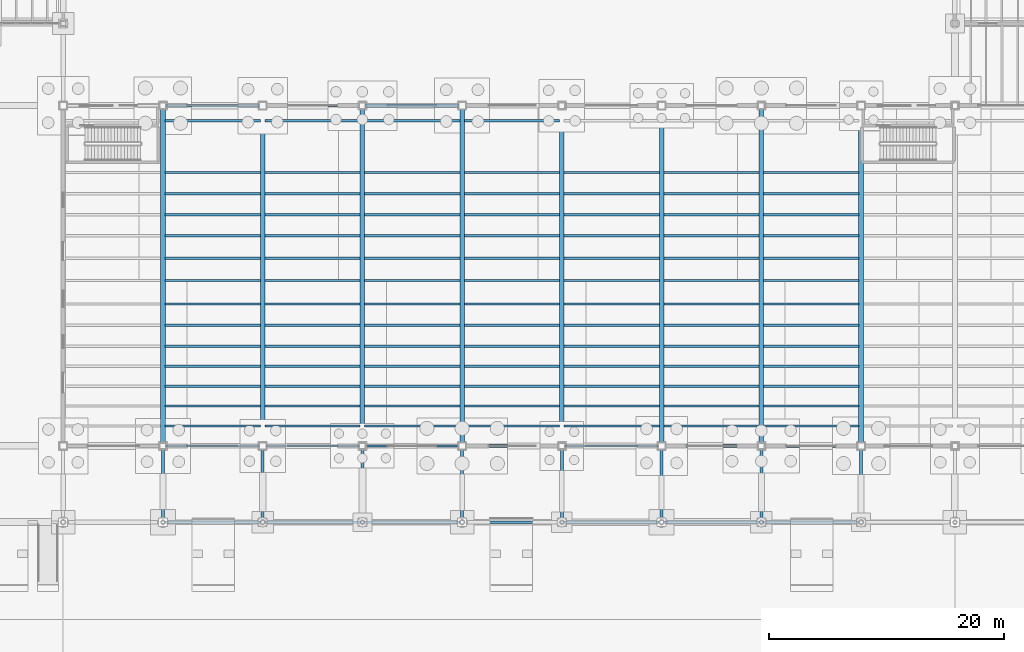
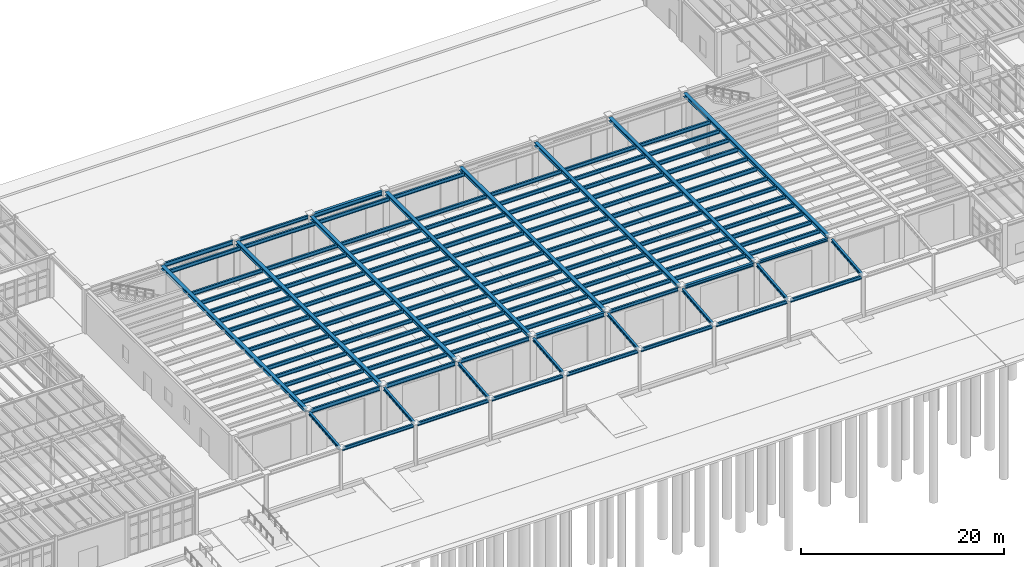
# One storey, part 31 of 86: 128 beams.
"""IFC4 building model written with IfcOpenShell, lengths in metres."""

from ifc_helpers import new_model, si_unit, direction, frame, origin, origin_2d, place, context, subcontext, project, spatial, i_section, extrude, material, material_profile, profile_set, type_object, element, save


model = new_model("IFC4")

# Units and contexts
model_context = context("Model", 3, precision=1e-05, world=origin(), true_north=direction((0.0, 1.0)))
body_context = subcontext(model_context, "Body", "Model", "MODEL_VIEW")
ifc_project = project(units=[si_unit("LENGTHUNIT", "METRE"), si_unit("AREAUNIT", "SQUARE_METRE"), si_unit("VOLUMEUNIT", "CUBIC_METRE"), si_unit("PLANEANGLEUNIT", "RADIAN"), si_unit("MASSUNIT", "GRAM", prefix="KILO"), si_unit("THERMODYNAMICTEMPERATUREUNIT", "KELVIN"), si_unit("POWERUNIT", "WATT")], contexts=[model_context])

# Site, building, storey
site_placement = place(None, origin())
site = spatial("IfcSite", under=ifc_project, at=site_placement, CompositionType="ELEMENT")
building_placement = place(site_placement, origin())
building = spatial("IfcBuilding", under=site, at=building_placement, Name="Zhenchuan Central Fire Station", CompositionType="ELEMENT")
storey_placement = place(building_placement, frame((0.0, 0.0, 0.449951171875)))
storey = spatial("IfcBuildingStorey", under=building, at=storey_placement, Name="L01", CompositionType="ELEMENT", Elevation=0.449951171875)

# Beams
ifc_material = material(Name="Steel Q355B", Category="steel")
ifc_material_profile_1 = material_profile(ifc_material, i_section(OverallWidth=0.25, OverallDepth=0.340087890625, WebThickness=0.009033203125, FlangeThickness=0.013916015625, FilletRadius=0.01806640625, at=origin_2d()), Name="HM 340x250")
ifc_profile_set_1 = profile_set([ifc_material_profile_1], Name="Steel Q355B")
beam_type_1 = type_object("IfcBeamType", Name="BM-HM340", PredefinedType="BEAM", material=ifc_profile_set_1)
beam_1_placement = place(storey_placement, frame((115.77490234375, 6.5, 5.030029296875), z_axis=(1.0, 0.0, 0.0), x_axis=(0.0, 1.0, 0.0)))
element("IfcBeam", 1, at=beam_1_placement, inside=storey, type_object=beam_type_1, Name="L02 Girder EW 0023", PredefinedType="BEAM", context=body_context, shape_type="SweptSolid", body=[
    extrude(i_section(OverallWidth=0.25, OverallDepth=0.340087890625, WebThickness=0.009033203125, FlangeThickness=0.013916015625, FilletRadius=0.01806640625, at=origin_2d()), origin(), (0.0, 0.0, 1.0), 7.900146484375),
])
ifc_material_profile_2 = material_profile(ifc_material, i_section(OverallWidth=0.25, OverallDepth=0.340087890625, WebThickness=0.009033203125, FlangeThickness=0.013916015625, FilletRadius=0.01806640625, at=origin_2d()), Name="HM 340x250")
ifc_profile_set_2 = profile_set([ifc_material_profile_2], Name="Steel Q355B")
beam_type_2 = type_object("IfcBeamType", Name="BM-HM340-EXT", PredefinedType="BEAM", material=ifc_profile_set_2)
beam_2_placement = place(storey_placement, frame((64.5, 0.161865234375, 4.41015625), z_axis=(0.0, 0.995301423854, 0.096824974433), x_axis=(-1.0, 0.0, 0.0)))
element("IfcBeam", 2, at=beam_2_placement, inside=storey, type_object=beam_type_2, Name="Canopy Sloped Rafter 0531", PredefinedType="BEAM", context=body_context, shape_type="SweptSolid", body=[
    extrude(i_section(OverallWidth=0.25, OverallDepth=0.340087890625, WebThickness=0.009033203125, FlangeThickness=0.013916015625, FilletRadius=0.01806640625, at=origin_2d()), origin(), (0.0, 0.0, 1.0), 6.091796875),
])
beam_3_placement = place(storey_placement, frame((73.0, 0.203125, 4.41015625), z_axis=(0.0, 0.995157696246, 0.098291197994), x_axis=(-1.0, 0.0, 0.0)))
element("IfcBeam", 3, at=beam_3_placement, inside=storey, type_object=beam_type_2, Name="Canopy Sloped Rafter 0532", PredefinedType="BEAM", context=body_context, shape_type="SweptSolid", body=[
    extrude(i_section(OverallWidth=0.25, OverallDepth=0.340087890625, WebThickness=0.009033203125, FlangeThickness=0.013916015625, FilletRadius=0.01806640625, at=origin_2d()), origin(), (0.0, 0.0, 1.0), 6.0009765625),
])
beam_4_placement = place(storey_placement, frame((81.5, 0.161865234375, 4.41015625), z_axis=(0.0, 0.995301423854, 0.096824974433), x_axis=(-1.0, 0.0, 0.0)))
element("IfcBeam", 4, at=beam_4_placement, inside=storey, type_object=beam_type_2, Name="Canopy Sloped Rafter 0533", PredefinedType="BEAM", context=body_context, shape_type="SweptSolid", body=[
    extrude(i_section(OverallWidth=0.25, OverallDepth=0.340087890625, WebThickness=0.009033203125, FlangeThickness=0.013916015625, FilletRadius=0.01806640625, at=origin_2d()), origin(), (0.0, 0.0, 1.0), 6.091796875),
])
beam_5_placement = place(storey_placement, frame((90.0, 0.203125, 4.41015625), z_axis=(0.0, 0.995157696246, 0.098291197994), x_axis=(-1.0, 0.0, 0.0)))
element("IfcBeam", 5, at=beam_5_placement, inside=storey, type_object=beam_type_2, Name="Canopy Sloped Rafter 0534", PredefinedType="BEAM", context=body_context, shape_type="SweptSolid", body=[
    extrude(i_section(OverallWidth=0.25, OverallDepth=0.340087890625, WebThickness=0.009033203125, FlangeThickness=0.013916015625, FilletRadius=0.01806640625, at=origin_2d()), origin(), (0.0, 0.0, 1.0), 6.0009765625),
])
beam_6_placement = place(storey_placement, frame((98.5, 0.161865234375, 4.41015625), z_axis=(0.0, 0.995301423854, 0.096824974433), x_axis=(-1.0, 0.0, 0.0)))
element("IfcBeam", 6, at=beam_6_placement, inside=storey, type_object=beam_type_2, Name="Canopy Sloped Rafter 0535", PredefinedType="BEAM", context=body_context, shape_type="SweptSolid", body=[
    extrude(i_section(OverallWidth=0.25, OverallDepth=0.340087890625, WebThickness=0.009033203125, FlangeThickness=0.013916015625, FilletRadius=0.01806640625, at=origin_2d()), origin(), (0.0, 0.0, 1.0), 6.091796875),
])
beam_7_placement = place(storey_placement, frame((107.0, 0.203125, 4.41015625), z_axis=(0.0, 0.995157696246, 0.098291197994), x_axis=(-1.0, 0.0, 0.0)))
element("IfcBeam", 7, at=beam_7_placement, inside=storey, type_object=beam_type_2, Name="Canopy Sloped Rafter 0536", PredefinedType="BEAM", context=body_context, shape_type="SweptSolid", body=[
    extrude(i_section(OverallWidth=0.25, OverallDepth=0.340087890625, WebThickness=0.009033203125, FlangeThickness=0.013916015625, FilletRadius=0.01806640625, at=origin_2d()), origin(), (0.0, 0.0, 1.0), 6.0009765625),
])
beam_8_placement = place(storey_placement, frame((115.5, 0.161865234375, 4.41015625), z_axis=(0.0, 0.995301423854, 0.096824974433), x_axis=(-1.0, 0.0, 0.0)))
element("IfcBeam", 8, at=beam_8_placement, inside=storey, type_object=beam_type_2, Name="Canopy Sloped Rafter 0537", PredefinedType="BEAM", context=body_context, shape_type="SweptSolid", body=[
    extrude(i_section(OverallWidth=0.25, OverallDepth=0.340087890625, WebThickness=0.009033203125, FlangeThickness=0.013916015625, FilletRadius=0.01806640625, at=origin_2d()), origin(), (0.0, 0.0, 1.0), 6.091796875),
])
beam_9_placement = place(storey_placement, frame((124.0, 0.203125, 4.41015625), z_axis=(0.0, 0.995157696246, 0.098291197994), x_axis=(-1.0, 0.0, 0.0)))
element("IfcBeam", 9, at=beam_9_placement, inside=storey, type_object=beam_type_2, Name="Canopy Sloped Rafter 0538", PredefinedType="BEAM", context=body_context, shape_type="SweptSolid", body=[
    extrude(i_section(OverallWidth=0.25, OverallDepth=0.340087890625, WebThickness=0.009033203125, FlangeThickness=0.013916015625, FilletRadius=0.01806640625, at=origin_2d()), origin(), (0.0, 0.0, 1.0), 6.0009765625),
])
ifc_material_profile_3 = material_profile(ifc_material, i_section(OverallWidth=0.300048828125, OverallDepth=0.389892578125, WebThickness=0.010009765625, FlangeThickness=0.01611328125, FilletRadius=0.02001953125, at=origin_2d()), Name="HM 390x300")
ifc_profile_set_3 = profile_set([ifc_material_profile_3], Name="Steel Q355B")
beam_type_3 = type_object("IfcBeamType", Name="BM-HM390-INT", PredefinedType="BEAM", material=ifc_profile_set_3)
beam_10_placement = place(storey_placement, frame((107.324951171875, 6.5, 5.005126953125), z_axis=(1.0, 0.0, 0.0), x_axis=(0.0, 1.0, 0.0)))
element("IfcBeam", 10, at=beam_10_placement, inside=storey, type_object=beam_type_3, Name="L02 Girder EW 0022", PredefinedType="BEAM", context=body_context, shape_type="SweptSolid", body=[
    extrude(i_section(OverallWidth=0.300048828125, OverallDepth=0.389892578125, WebThickness=0.010009765625, FlangeThickness=0.01611328125, FilletRadius=0.02001953125, at=origin_2d()), origin(), (0.0, 0.0, 1.0), 7.900146484375),
])
ifc_material_profile_4 = material_profile(ifc_material, i_section(OverallWidth=0.300048828125, OverallDepth=0.5, WebThickness=0.010986328125, FlangeThickness=0.01806640625, FilletRadius=0.02197265625, at=origin_2d()), Name="HM 500x300")
ifc_profile_set_4 = profile_set([ifc_material_profile_4], Name="Steel Q355B")
beam_type_4 = type_object("IfcBeamType", Name="BM-HM500-INT", PredefinedType="BEAM", material=ifc_profile_set_4)
for number, where, z_axis, x_axis, name in (
    (11, (90.324951171875, 6.5, 4.949951171875), (1.0, 0.0, 0.0), (0.0, 1.0, 0.0), "L02 Girder EW 0020"),
    (12, (81.77490234375, 35.5, 4.949951171875), (1.0, 0.0, 0.0), (0.0, 1.0, 0.0), "L02 Girder EW 0062"),
):
    element("IfcBeam", number, at=place(storey_placement, frame(where, z_axis=z_axis, x_axis=x_axis)), inside=storey, type_object=beam_type_4, Name=name, PredefinedType="BEAM", context=body_context, shape_type="SweptSolid", body=[
        extrude(i_section(OverallWidth=0.300048828125, OverallDepth=0.5, WebThickness=0.010986328125, FlangeThickness=0.01806640625, FilletRadius=0.02197265625, at=origin_2d()), origin(), (0.0, 0.0, 1.0), 7.900146484375),
    ])
ifc_material_profile_5 = material_profile(ifc_material, i_section(OverallWidth=0.199951171875, OverallDepth=0.449951171875, WebThickness=0.009033203125, FlangeThickness=0.013916015625, FilletRadius=0.01806640625, at=origin_2d()), Name="HN 450x200")
ifc_profile_set_5 = profile_set([ifc_material_profile_5], Name="Steel Q355B")
beam_type_5 = type_object("IfcBeamType", Name="BM-HN450", PredefinedType="BEAM", material=ifc_profile_set_5)
beam_11_placement = place(storey_placement, frame((81.77490234375, 6.5, 4.97509765625), z_axis=(1.0, 0.0, 0.0), x_axis=(0.0, 1.0, 0.0)))
element("IfcBeam", 13, at=beam_11_placement, inside=storey, type_object=beam_type_5, Name="L02 Girder EW 0019", PredefinedType="BEAM", context=body_context, shape_type="SweptSolid", body=[
    extrude(i_section(OverallWidth=0.199951171875, OverallDepth=0.449951171875, WebThickness=0.009033203125, FlangeThickness=0.013916015625, FilletRadius=0.01806640625, at=origin_2d()), origin(), (0.0, 0.0, 1.0), 7.900146484375),
])
for number, where, z_axis, x_axis, name in (
    (14, (64.697021484375, 8.199951171875, 4.97509765625), (1.0, 0.0, 0.0), (0.0, 1.0, 0.0), "Appliance Hall Secondary Floor Joist 0845"),
    (15, (64.697021484375, 9.89990234375, 4.97509765625), (1.0, 0.0, 0.0), (0.0, 1.0, 0.0), "Appliance Hall Secondary Floor Joist 0846"),
    (16, (64.697021484375, 11.60009765625, 4.97509765625), (1.0, 0.0, 0.0), (0.0, 1.0, 0.0), "Appliance Hall Secondary Floor Joist 0847"),
    (17, (64.697021484375, 13.300048828125, 4.97509765625), (1.0, 0.0, 0.0), (0.0, 1.0, 0.0), "Appliance Hall Secondary Floor Joist 0848"),
    (18, (64.697021484375, 15.0, 4.97509765625), (1.0, 0.0, 0.0), (0.0, 1.0, 0.0), "Appliance Hall Secondary Floor Joist 0849"),
    (19, (64.697021484375, 16.800048828125, 4.97509765625), (1.0, 0.0, 0.0), (0.0, 1.0, 0.0), "Appliance Hall Secondary Floor Joist 0850"),
    (20, (64.697021484375, 18.60009765625, 4.97509765625), (1.0, 0.0, 0.0), (0.0, 1.0, 0.0), "Appliance Hall Secondary Floor Joist 0851"),
    (21, (64.697021484375, 22.5, 4.97509765625), (1.0, 0.0, 0.0), (0.0, 1.0, 0.0), "Appliance Hall Secondary Floor Joist 0853"),
    (22, (64.697021484375, 26.199951171875, 4.97509765625), (1.0, 0.0, 0.0), (0.0, 1.0, 0.0), "Appliance Hall Secondary Floor Joist 0855"),
    (23, (64.697021484375, 28.0, 4.97509765625), (1.0, 0.0, 0.0), (0.0, 1.0, 0.0), "Appliance Hall Secondary Floor Joist 0856"),
    (24, (64.697021484375, 29.800048828125, 4.97509765625), (1.0, 0.0, 0.0), (0.0, 1.0, 0.0), "Appliance Hall Secondary Floor Joist 0857"),
    (25, (64.697021484375, 34.199951171875, 4.97509765625), (1.0, 0.0, 0.0), (0.0, 1.0, 0.0), "Appliance Hall Secondary Floor Joist 0858"),
    (26, (73.197021484375, 8.199951171875, 4.97509765625), (1.0, 0.0, 0.0), (0.0, 1.0, 0.0), "Appliance Hall Secondary Floor Joist 0859"),
    (27, (73.197021484375, 9.89990234375, 4.97509765625), (1.0, 0.0, 0.0), (0.0, 1.0, 0.0), "Appliance Hall Secondary Floor Joist 0860"),
    (28, (73.197021484375, 11.60009765625, 4.97509765625), (1.0, 0.0, 0.0), (0.0, 1.0, 0.0), "Appliance Hall Secondary Floor Joist 0861"),
    (29, (73.197021484375, 13.300048828125, 4.97509765625), (1.0, 0.0, 0.0), (0.0, 1.0, 0.0), "Appliance Hall Secondary Floor Joist 0862"),
    (30, (73.197021484375, 15.0, 4.97509765625), (1.0, 0.0, 0.0), (0.0, 1.0, 0.0), "Appliance Hall Secondary Floor Joist 0863"),
    (31, (73.197021484375, 16.800048828125, 4.97509765625), (1.0, 0.0, 0.0), (0.0, 1.0, 0.0), "Appliance Hall Secondary Floor Joist 0864"),
    (32, (73.197021484375, 18.60009765625, 4.97509765625), (1.0, 0.0, 0.0), (0.0, 1.0, 0.0), "Appliance Hall Secondary Floor Joist 0865"),
    (33, (73.197021484375, 22.5, 4.97509765625), (1.0, 0.0, 0.0), (0.0, 1.0, 0.0), "Appliance Hall Secondary Floor Joist 0867"),
    (34, (73.197021484375, 26.199951171875, 4.97509765625), (1.0, 0.0, 0.0), (0.0, 1.0, 0.0), "Appliance Hall Secondary Floor Joist 0869"),
    (35, (73.197021484375, 28.0, 4.97509765625), (1.0, 0.0, 0.0), (0.0, 1.0, 0.0), "Appliance Hall Secondary Floor Joist 0870"),
    (36, (73.197021484375, 29.800048828125, 4.97509765625), (1.0, 0.0, 0.0), (0.0, 1.0, 0.0), "Appliance Hall Secondary Floor Joist 0871"),
    (37, (73.197021484375, 34.199951171875, 4.97509765625), (1.0, 0.0, 0.0), (0.0, 1.0, 0.0), "Appliance Hall Secondary Floor Joist 0872"),
    (38, (81.697021484375, 8.199951171875, 4.97509765625), (1.0, 0.0, 0.0), (0.0, 1.0, 0.0), "Appliance Hall Secondary Floor Joist 0873"),
    (39, (81.697021484375, 9.89990234375, 4.97509765625), (1.0, 0.0, 0.0), (0.0, 1.0, 0.0), "Appliance Hall Secondary Floor Joist 0874"),
    (40, (81.697021484375, 11.60009765625, 4.97509765625), (1.0, 0.0, 0.0), (0.0, 1.0, 0.0), "Appliance Hall Secondary Floor Joist 0875"),
    (41, (81.697021484375, 13.300048828125, 4.97509765625), (1.0, 0.0, 0.0), (0.0, 1.0, 0.0), "Appliance Hall Secondary Floor Joist 0876"),
    (42, (81.697021484375, 15.0, 4.97509765625), (1.0, 0.0, 0.0), (0.0, 1.0, 0.0), "Appliance Hall Secondary Floor Joist 0877"),
    (43, (81.697021484375, 16.800048828125, 4.97509765625), (1.0, 0.0, 0.0), (0.0, 1.0, 0.0), "Appliance Hall Secondary Floor Joist 0878"),
    (44, (81.697021484375, 18.60009765625, 4.97509765625), (1.0, 0.0, 0.0), (0.0, 1.0, 0.0), "Appliance Hall Secondary Floor Joist 0879"),
    (45, (81.697021484375, 22.5, 4.97509765625), (1.0, 0.0, 0.0), (0.0, 1.0, 0.0), "Appliance Hall Secondary Floor Joist 0881"),
    (46, (81.697021484375, 26.199951171875, 4.97509765625), (1.0, 0.0, 0.0), (0.0, 1.0, 0.0), "Appliance Hall Secondary Floor Joist 0883"),
    (47, (81.697021484375, 28.0, 4.97509765625), (1.0, 0.0, 0.0), (0.0, 1.0, 0.0), "Appliance Hall Secondary Floor Joist 0884"),
    (48, (81.697021484375, 29.800048828125, 4.97509765625), (1.0, 0.0, 0.0), (0.0, 1.0, 0.0), "Appliance Hall Secondary Floor Joist 0885"),
    (49, (81.697021484375, 34.199951171875, 4.97509765625), (1.0, 0.0, 0.0), (0.0, 1.0, 0.0), "Appliance Hall Secondary Floor Joist 0886"),
    (50, (90.197021484375, 8.199951171875, 4.97509765625), (1.0, 0.0, 0.0), (0.0, 1.0, 0.0), "Appliance Hall Secondary Floor Joist 0887"),
    (51, (90.197021484375, 9.89990234375, 4.97509765625), (1.0, 0.0, 0.0), (0.0, 1.0, 0.0), "Appliance Hall Secondary Floor Joist 0888"),
    (52, (90.197021484375, 11.60009765625, 4.97509765625), (1.0, 0.0, 0.0), (0.0, 1.0, 0.0), "Appliance Hall Secondary Floor Joist 0889"),
    (53, (90.197021484375, 13.300048828125, 4.97509765625), (1.0, 0.0, 0.0), (0.0, 1.0, 0.0), "Appliance Hall Secondary Floor Joist 0890"),
    (54, (90.197021484375, 15.0, 4.97509765625), (1.0, 0.0, 0.0), (0.0, 1.0, 0.0), "Appliance Hall Secondary Floor Joist 0891"),
    (55, (90.197021484375, 16.800048828125, 4.97509765625), (1.0, 0.0, 0.0), (0.0, 1.0, 0.0), "Appliance Hall Secondary Floor Joist 0892"),
    (56, (90.197021484375, 18.60009765625, 4.97509765625), (1.0, 0.0, 0.0), (0.0, 1.0, 0.0), "Appliance Hall Secondary Floor Joist 0893"),
    (57, (90.197021484375, 22.5, 4.97509765625), (1.0, 0.0, 0.0), (0.0, 1.0, 0.0), "Appliance Hall Secondary Floor Joist 0895"),
    (58, (90.197021484375, 26.199951171875, 4.97509765625), (1.0, 0.0, 0.0), (0.0, 1.0, 0.0), "Appliance Hall Secondary Floor Joist 0897"),
    (59, (90.197021484375, 28.0, 4.97509765625), (1.0, 0.0, 0.0), (0.0, 1.0, 0.0), "Appliance Hall Secondary Floor Joist 0898"),
    (60, (90.197021484375, 29.800048828125, 4.97509765625), (1.0, 0.0, 0.0), (0.0, 1.0, 0.0), "Appliance Hall Secondary Floor Joist 0899"),
    (61, (90.197021484375, 34.199951171875, 4.97509765625), (1.0, 0.0, 0.0), (0.0, 1.0, 0.0), "Appliance Hall Secondary Floor Joist 0900"),
    (62, (98.697021484375, 8.199951171875, 4.97509765625), (1.0, 0.0, 0.0), (0.0, 1.0, 0.0), "Appliance Hall Secondary Floor Joist 0901"),
    (63, (98.697021484375, 9.89990234375, 4.97509765625), (1.0, 0.0, 0.0), (0.0, 1.0, 0.0), "Appliance Hall Secondary Floor Joist 0902"),
    (64, (98.697021484375, 11.60009765625, 4.97509765625), (1.0, 0.0, 0.0), (0.0, 1.0, 0.0), "Appliance Hall Secondary Floor Joist 0903"),
    (65, (98.697021484375, 13.300048828125, 4.97509765625), (1.0, 0.0, 0.0), (0.0, 1.0, 0.0), "Appliance Hall Secondary Floor Joist 0904"),
    (66, (98.697021484375, 15.0, 4.97509765625), (1.0, 0.0, 0.0), (0.0, 1.0, 0.0), "Appliance Hall Secondary Floor Joist 0905"),
    (67, (98.697021484375, 16.800048828125, 4.97509765625), (1.0, 0.0, 0.0), (0.0, 1.0, 0.0), "Appliance Hall Secondary Floor Joist 0906"),
    (68, (98.697021484375, 18.60009765625, 4.97509765625), (1.0, 0.0, 0.0), (0.0, 1.0, 0.0), "Appliance Hall Secondary Floor Joist 0907"),
    (69, (98.697021484375, 22.5, 4.97509765625), (1.0, 0.0, 0.0), (0.0, 1.0, 0.0), "Appliance Hall Secondary Floor Joist 0909"),
    (70, (98.697021484375, 26.199951171875, 4.97509765625), (1.0, 0.0, 0.0), (0.0, 1.0, 0.0), "Appliance Hall Secondary Floor Joist 0911"),
    (71, (98.697021484375, 28.0, 4.97509765625), (1.0, 0.0, 0.0), (0.0, 1.0, 0.0), "Appliance Hall Secondary Floor Joist 0912"),
    (72, (98.697021484375, 29.800048828125, 4.97509765625), (1.0, 0.0, 0.0), (0.0, 1.0, 0.0), "Appliance Hall Secondary Floor Joist 0913"),
    (73, (107.197021484375, 8.199951171875, 4.97509765625), (1.0, 0.0, 0.0), (0.0, 1.0, 0.0), "Appliance Hall Secondary Floor Joist 0915"),
    (74, (107.197021484375, 9.89990234375, 4.97509765625), (1.0, 0.0, 0.0), (0.0, 1.0, 0.0), "Appliance Hall Secondary Floor Joist 0916"),
    (75, (107.197021484375, 11.60009765625, 4.97509765625), (1.0, 0.0, 0.0), (0.0, 1.0, 0.0), "Appliance Hall Secondary Floor Joist 0917"),
    (76, (107.197021484375, 13.300048828125, 4.97509765625), (1.0, 0.0, 0.0), (0.0, 1.0, 0.0), "Appliance Hall Secondary Floor Joist 0918"),
    (77, (107.197021484375, 15.0, 4.97509765625), (1.0, 0.0, 0.0), (0.0, 1.0, 0.0), "Appliance Hall Secondary Floor Joist 0919"),
    (78, (107.197021484375, 16.800048828125, 4.97509765625), (1.0, 0.0, 0.0), (0.0, 1.0, 0.0), "Appliance Hall Secondary Floor Joist 0920"),
    (79, (107.197021484375, 18.60009765625, 4.97509765625), (1.0, 0.0, 0.0), (0.0, 1.0, 0.0), "Appliance Hall Secondary Floor Joist 0921"),
    (80, (107.197021484375, 22.5, 4.97509765625), (1.0, 0.0, 0.0), (0.0, 1.0, 0.0), "Appliance Hall Secondary Floor Joist 0923"),
    (81, (107.197021484375, 26.199951171875, 4.97509765625), (1.0, 0.0, 0.0), (0.0, 1.0, 0.0), "Appliance Hall Secondary Floor Joist 0925"),
    (82, (107.197021484375, 28.0, 4.97509765625), (1.0, 0.0, 0.0), (0.0, 1.0, 0.0), "Appliance Hall Secondary Floor Joist 0926"),
    (83, (107.197021484375, 29.800048828125, 4.97509765625), (1.0, 0.0, 0.0), (0.0, 1.0, 0.0), "Appliance Hall Secondary Floor Joist 0927"),
    (84, (115.697021484375, 8.199951171875, 4.97509765625), (1.0, 0.0, 0.0), (0.0, 1.0, 0.0), "Appliance Hall Secondary Floor Joist 0929"),
    (85, (115.697021484375, 9.89990234375, 4.97509765625), (1.0, 0.0, 0.0), (0.0, 1.0, 0.0), "Appliance Hall Secondary Floor Joist 0930"),
    (86, (115.697021484375, 11.60009765625, 4.97509765625), (1.0, 0.0, 0.0), (0.0, 1.0, 0.0), "Appliance Hall Secondary Floor Joist 0931"),
    (87, (115.697021484375, 13.300048828125, 4.97509765625), (1.0, 0.0, 0.0), (0.0, 1.0, 0.0), "Appliance Hall Secondary Floor Joist 0932"),
    (88, (115.697021484375, 15.0, 4.97509765625), (1.0, 0.0, 0.0), (0.0, 1.0, 0.0), "Appliance Hall Secondary Floor Joist 0933"),
    (89, (115.697021484375, 16.800048828125, 4.97509765625), (1.0, 0.0, 0.0), (0.0, 1.0, 0.0), "Appliance Hall Secondary Floor Joist 0934"),
    (90, (115.697021484375, 18.60009765625, 4.97509765625), (1.0, 0.0, 0.0), (0.0, 1.0, 0.0), "Appliance Hall Secondary Floor Joist 0935"),
    (91, (115.697021484375, 22.5, 4.97509765625), (1.0, 0.0, 0.0), (0.0, 1.0, 0.0), "Appliance Hall Secondary Floor Joist 0937"),
    (92, (115.697021484375, 26.199951171875, 4.97509765625), (1.0, 0.0, 0.0), (0.0, 1.0, 0.0), "Appliance Hall Secondary Floor Joist 0939"),
    (93, (115.697021484375, 28.0, 4.97509765625), (1.0, 0.0, 0.0), (0.0, 1.0, 0.0), "Appliance Hall Secondary Floor Joist 0940"),
    (94, (115.697021484375, 29.800048828125, 4.97509765625), (1.0, 0.0, 0.0), (0.0, 1.0, 0.0), "Appliance Hall Secondary Floor Joist 0941"),
):
    element("IfcBeam", number, at=place(storey_placement, frame(where, z_axis=z_axis, x_axis=x_axis)), inside=storey, type_object=beam_type_5, Name=name, PredefinedType="BEAM", context=body_context, shape_type="SweptSolid", body=[
        extrude(i_section(OverallWidth=0.199951171875, OverallDepth=0.449951171875, WebThickness=0.009033203125, FlangeThickness=0.013916015625, FilletRadius=0.01806640625, at=origin_2d()), origin(), (0.0, 0.0, 1.0), 8.10595703125),
    ])
ifc_material_profile_6 = material_profile(ifc_material, i_section(OverallWidth=0.199951171875, OverallDepth=0.5, WebThickness=0.010009765625, FlangeThickness=0.01611328125, FilletRadius=0.02001953125, at=origin_2d()), Name="HN 500x200")
ifc_profile_set_6 = profile_set([ifc_material_profile_6], Name="Steel Q355B")
beam_type_6 = type_object("IfcBeamType", Name="BM-HN500-INT", PredefinedType="BEAM", material=ifc_profile_set_6)
for number, where, z_axis, x_axis, name in (
    (95, (73.324951171875, 6.5, 4.949951171875), (1.0, 0.0, 0.0), (0.0, 1.0, 0.0), "L02 Girder EW 0018"),
    (96, (64.77490234375, 35.5, 4.949951171875), (1.0, 0.0, 0.0), (0.0, 1.0, 0.0), "L02 Girder EW 0060"),
):
    element("IfcBeam", number, at=place(storey_placement, frame(where, z_axis=z_axis, x_axis=x_axis)), inside=storey, type_object=beam_type_6, Name=name, PredefinedType="BEAM", context=body_context, shape_type="SweptSolid", body=[
        extrude(i_section(OverallWidth=0.199951171875, OverallDepth=0.5, WebThickness=0.010009765625, FlangeThickness=0.01611328125, FilletRadius=0.02001953125, at=origin_2d()), origin(), (0.0, 0.0, 1.0), 7.900146484375),
    ])
for number, where, z_axis, x_axis, name in (
    (97, (64.697021484375, 20.60009765625, 4.949951171875), (1.0, 0.0, 0.0), (0.0, 1.0, 0.0), "Appliance Hall Secondary Floor Joist 0852"),
    (98, (64.697021484375, 24.39990234375, 4.949951171875), (1.0, 0.0, 0.0), (0.0, 1.0, 0.0), "Appliance Hall Secondary Floor Joist 0854"),
    (99, (73.197021484375, 20.60009765625, 4.949951171875), (1.0, 0.0, 0.0), (0.0, 1.0, 0.0), "Appliance Hall Secondary Floor Joist 0866"),
    (100, (73.197021484375, 24.39990234375, 4.949951171875), (1.0, 0.0, 0.0), (0.0, 1.0, 0.0), "Appliance Hall Secondary Floor Joist 0868"),
    (101, (81.697021484375, 20.60009765625, 4.949951171875), (1.0, 0.0, 0.0), (0.0, 1.0, 0.0), "Appliance Hall Secondary Floor Joist 0880"),
    (102, (81.697021484375, 24.39990234375, 4.949951171875), (1.0, 0.0, 0.0), (0.0, 1.0, 0.0), "Appliance Hall Secondary Floor Joist 0882"),
    (103, (90.197021484375, 20.60009765625, 4.949951171875), (1.0, 0.0, 0.0), (0.0, 1.0, 0.0), "Appliance Hall Secondary Floor Joist 0894"),
    (104, (90.197021484375, 24.39990234375, 4.949951171875), (1.0, 0.0, 0.0), (0.0, 1.0, 0.0), "Appliance Hall Secondary Floor Joist 0896"),
    (105, (98.697021484375, 20.60009765625, 4.949951171875), (1.0, 0.0, 0.0), (0.0, 1.0, 0.0), "Appliance Hall Secondary Floor Joist 0908"),
    (106, (98.697021484375, 24.39990234375, 4.949951171875), (1.0, 0.0, 0.0), (0.0, 1.0, 0.0), "Appliance Hall Secondary Floor Joist 0910"),
    (107, (107.197021484375, 20.60009765625, 4.949951171875), (1.0, 0.0, 0.0), (0.0, 1.0, 0.0), "Appliance Hall Secondary Floor Joist 0922"),
    (108, (107.197021484375, 24.39990234375, 4.949951171875), (1.0, 0.0, 0.0), (0.0, 1.0, 0.0), "Appliance Hall Secondary Floor Joist 0924"),
    (109, (115.697021484375, 20.60009765625, 4.949951171875), (1.0, 0.0, 0.0), (0.0, 1.0, 0.0), "Appliance Hall Secondary Floor Joist 0936"),
    (110, (115.697021484375, 24.39990234375, 4.949951171875), (1.0, 0.0, 0.0), (0.0, 1.0, 0.0), "Appliance Hall Secondary Floor Joist 0938"),
):
    element("IfcBeam", number, at=place(storey_placement, frame(where, z_axis=z_axis, x_axis=x_axis)), inside=storey, type_object=beam_type_6, Name=name, PredefinedType="BEAM", context=body_context, shape_type="SweptSolid", body=[
        extrude(i_section(OverallWidth=0.199951171875, OverallDepth=0.5, WebThickness=0.010009765625, FlangeThickness=0.01611328125, FilletRadius=0.02001953125, at=origin_2d()), origin(), (0.0, 0.0, 1.0), 8.10595703125),
    ])
ifc_material_profile_7 = material_profile(ifc_material, i_section(OverallWidth=0.39990234375, OverallDepth=0.39990234375, WebThickness=0.012939453125, FlangeThickness=0.02099609375, FilletRadius=0.02197265625, at=origin_2d()), Name="HW 400x400")
ifc_profile_set_7 = profile_set([ifc_material_profile_7], Name="Steel Q355B")
beam_type_7 = type_object("IfcBeamType", Name="BM-HW400-INT", PredefinedType="BEAM", material=ifc_profile_set_7)
beam_12_placement = place(storey_placement, frame((64.5, 6.77490234375, 5.0), z_axis=(0.0, 1.0, 0.0), x_axis=(-1.0, 0.0, 0.0)))
element("IfcBeam", 111, at=beam_12_placement, inside=storey, type_object=beam_type_7, Name="Pratt Transfer Truss TT-02 Bottom Chord", PredefinedType="BEAM", context=body_context, shape_type="SweptSolid", body=[
    extrude(i_section(OverallWidth=0.39990234375, OverallDepth=0.39990234375, WebThickness=0.012939453125, FlangeThickness=0.02099609375, FilletRadius=0.02197265625, at=origin_2d()), origin(), (0.0, 0.0, 1.0), 28.4501953125),
])
beam_13_placement = place(storey_placement, frame((73.0, 6.824951171875, 5.0), z_axis=(0.0, 1.0, 0.0), x_axis=(-1.0, 0.0, 0.0)))
element("IfcBeam", 112, at=beam_13_placement, inside=storey, type_object=beam_type_7, Name="Pratt Transfer Truss TT-03 Bottom Chord", PredefinedType="BEAM", context=body_context, shape_type="SweptSolid", body=[
    extrude(i_section(OverallWidth=0.39990234375, OverallDepth=0.39990234375, WebThickness=0.012939453125, FlangeThickness=0.02099609375, FilletRadius=0.02197265625, at=origin_2d()), origin(), (0.0, 0.0, 1.0), 28.35009765625),
])
beam_14_placement = place(storey_placement, frame((81.5, 6.77490234375, 5.0), z_axis=(0.0, 1.0, 0.0), x_axis=(-1.0, 0.0, 0.0)))
element("IfcBeam", 113, at=beam_14_placement, inside=storey, type_object=beam_type_7, Name="Pratt Transfer Truss TT-04 Bottom Chord", PredefinedType="BEAM", context=body_context, shape_type="SweptSolid", body=[
    extrude(i_section(OverallWidth=0.39990234375, OverallDepth=0.39990234375, WebThickness=0.012939453125, FlangeThickness=0.02099609375, FilletRadius=0.02197265625, at=origin_2d()), origin(), (0.0, 0.0, 1.0), 28.4501953125),
])
beam_15_placement = place(storey_placement, frame((90.0, 6.824951171875, 5.0), z_axis=(0.0, 1.0, 0.0), x_axis=(-1.0, 0.0, 0.0)))
element("IfcBeam", 114, at=beam_15_placement, inside=storey, type_object=beam_type_7, Name="Pratt Transfer Truss TT-05 Bottom Chord", PredefinedType="BEAM", context=body_context, shape_type="SweptSolid", body=[
    extrude(i_section(OverallWidth=0.39990234375, OverallDepth=0.39990234375, WebThickness=0.012939453125, FlangeThickness=0.02099609375, FilletRadius=0.02197265625, at=origin_2d()), origin(), (0.0, 0.0, 1.0), 28.35009765625),
])
beam_16_placement = place(storey_placement, frame((98.5, 6.77490234375, 5.0), z_axis=(0.0, 1.0, 0.0), x_axis=(-1.0, 0.0, 0.0)))
element("IfcBeam", 115, at=beam_16_placement, inside=storey, type_object=beam_type_7, Name="Pratt Transfer Truss TT-06 Bottom Chord", PredefinedType="BEAM", context=body_context, shape_type="SweptSolid", body=[
    extrude(i_section(OverallWidth=0.39990234375, OverallDepth=0.39990234375, WebThickness=0.012939453125, FlangeThickness=0.02099609375, FilletRadius=0.02197265625, at=origin_2d()), origin(), (0.0, 0.0, 1.0), 28.4501953125),
])
beam_17_placement = place(storey_placement, frame((107.0, 6.824951171875, 5.0), z_axis=(0.0, 1.0, 0.0), x_axis=(-1.0, 0.0, 0.0)))
element("IfcBeam", 116, at=beam_17_placement, inside=storey, type_object=beam_type_7, Name="Pratt Transfer Truss TT-07 Bottom Chord", PredefinedType="BEAM", context=body_context, shape_type="SweptSolid", body=[
    extrude(i_section(OverallWidth=0.39990234375, OverallDepth=0.39990234375, WebThickness=0.012939453125, FlangeThickness=0.02099609375, FilletRadius=0.02197265625, at=origin_2d()), origin(), (0.0, 0.0, 1.0), 28.35009765625),
])
beam_18_placement = place(storey_placement, frame((115.5, 6.77490234375, 5.0), z_axis=(0.0, 1.0, 0.0), x_axis=(-1.0, 0.0, 0.0)))
element("IfcBeam", 117, at=beam_18_placement, inside=storey, type_object=beam_type_7, Name="Pratt Transfer Truss TT-08 Bottom Chord", PredefinedType="BEAM", context=body_context, shape_type="SweptSolid", body=[
    extrude(i_section(OverallWidth=0.39990234375, OverallDepth=0.39990234375, WebThickness=0.012939453125, FlangeThickness=0.02099609375, FilletRadius=0.02197265625, at=origin_2d()), origin(), (0.0, 0.0, 1.0), 28.4501953125),
])
beam_19_placement = place(storey_placement, frame((124.0, 6.824951171875, 5.0), z_axis=(0.0, 1.0, 0.0), x_axis=(-1.0, 0.0, 0.0)))
element("IfcBeam", 118, at=beam_19_placement, inside=storey, type_object=beam_type_7, Name="Pratt Transfer Truss TT-09 Bottom Chord", PredefinedType="BEAM", context=body_context, shape_type="SweptSolid", body=[
    extrude(i_section(OverallWidth=0.39990234375, OverallDepth=0.39990234375, WebThickness=0.012939453125, FlangeThickness=0.02099609375, FilletRadius=0.02197265625, at=origin_2d()), origin(), (0.0, 0.0, 1.0), 28.35009765625),
])
ifc_material_profile_8 = material_profile(ifc_material, i_section(OverallWidth=0.199951171875, OverallDepth=0.39990234375, WebThickness=0.008056640625, FlangeThickness=0.012939453125, FilletRadius=0.01611328125, at=origin_2d()), Name="HN 400x200")
ifc_profile_set_8 = profile_set([ifc_material_profile_8], Name="Steel Q355B")
beam_type_8 = type_object("IfcBeamType", Name="SP-HN400", PredefinedType="SPANDREL", material=ifc_profile_set_8)
for number, where, z_axis, x_axis, name in (
    (119, (64.661865234375, 0.0, 4.39013671875), (1.0, 0.0, 0.0), (0.0, 1.0, 0.0), "Canopy Fascia Girder 0521"),
    (120, (73.203125, 0.0, 4.39013671875), (1.0, 0.0, 0.0), (0.0, 1.0, 0.0), "Canopy Fascia Girder 0522"),
    (121, (81.661865234375, 0.0, 4.39013671875), (1.0, 0.0, 0.0), (0.0, 1.0, 0.0), "Canopy Fascia Girder 0523"),
    (122, (90.203125, 0.0, 4.39013671875), (1.0, 0.0, 0.0), (0.0, 1.0, 0.0), "Canopy Fascia Girder 0524"),
    (123, (98.661865234375, 0.0, 4.39013671875), (1.0, 0.0, 0.0), (0.0, 1.0, 0.0), "Canopy Fascia Girder 0525"),
    (124, (107.203125, 0.0, 4.39013671875), (1.0, 0.0, 0.0), (0.0, 1.0, 0.0), "Canopy Fascia Girder 0526"),
    (125, (115.661865234375, 0.0, 4.39013671875), (1.0, 0.0, 0.0), (0.0, 1.0, 0.0), "Canopy Fascia Girder 0527"),
):
    element("IfcBeam", number, at=place(storey_placement, frame(where, z_axis=z_axis, x_axis=x_axis)), inside=storey, type_object=beam_type_8, Name=name, PredefinedType="SPANDREL", context=body_context, shape_type="SweptSolid", body=[
        extrude(i_section(OverallWidth=0.199951171875, OverallDepth=0.39990234375, WebThickness=0.008056640625, FlangeThickness=0.012939453125, FilletRadius=0.01611328125, at=origin_2d()), origin(), (0.0, 0.0, 1.0), 8.135009765625),
    ])
ifc_material_profile_9 = material_profile(ifc_material, i_section(OverallWidth=0.199951171875, OverallDepth=0.39990234375, WebThickness=0.008056640625, FlangeThickness=0.012939453125, FilletRadius=0.01611328125, at=origin_2d()), Name="HN 400x200")
ifc_profile_set_9 = profile_set([ifc_material_profile_9], Name="Steel Q355B")
beam_type_9 = type_object("IfcBeamType", Name="SP-HN400-INT", PredefinedType="SPANDREL", material=ifc_profile_set_9)
for number, where, z_axis, x_axis, name in (
    (126, (98.77490234375, 6.5, 5.0), (1.0, 0.0, 0.0), (0.0, 1.0, 0.0), "L02 Girder EW 0021"),
    (127, (73.324951171875, 35.5, 5.0), (1.0, 0.0, 0.0), (0.0, 1.0, 0.0), "L02 Girder EW 0061"),
):
    element("IfcBeam", number, at=place(storey_placement, frame(where, z_axis=z_axis, x_axis=x_axis)), inside=storey, type_object=beam_type_9, Name=name, PredefinedType="SPANDREL", context=body_context, shape_type="SweptSolid", body=[
        extrude(i_section(OverallWidth=0.199951171875, OverallDepth=0.39990234375, WebThickness=0.008056640625, FlangeThickness=0.012939453125, FilletRadius=0.01611328125, at=origin_2d()), origin(), (0.0, 0.0, 1.0), 7.900146484375),
    ])
ifc_material_profile_10 = material_profile(ifc_material, i_section(OverallWidth=0.199951171875, OverallDepth=0.5, WebThickness=0.010009765625, FlangeThickness=0.01611328125, FilletRadius=0.02001953125, at=origin_2d()), Name="HN 500x200")
ifc_profile_set_10 = profile_set([ifc_material_profile_10], Name="Steel Q355B")
beam_type_10 = type_object("IfcBeamType", Name="SP-HN500-INT", PredefinedType="SPANDREL", material=ifc_profile_set_10)
beam_20_placement = place(storey_placement, frame((64.77490234375, 6.5, 4.949951171875), z_axis=(1.0, 0.0, 0.0), x_axis=(0.0, 1.0, 0.0)))
element("IfcBeam", 128, at=beam_20_placement, inside=storey, type_object=beam_type_10, Name="L02 Girder EW 0017", PredefinedType="SPANDREL", context=body_context, shape_type="SweptSolid", body=[
    extrude(i_section(OverallWidth=0.199951171875, OverallDepth=0.5, WebThickness=0.010009765625, FlangeThickness=0.01611328125, FilletRadius=0.02001953125, at=origin_2d()), origin(), (0.0, 0.0, 1.0), 7.900146484375),
])

save(model, "model.ifc")
